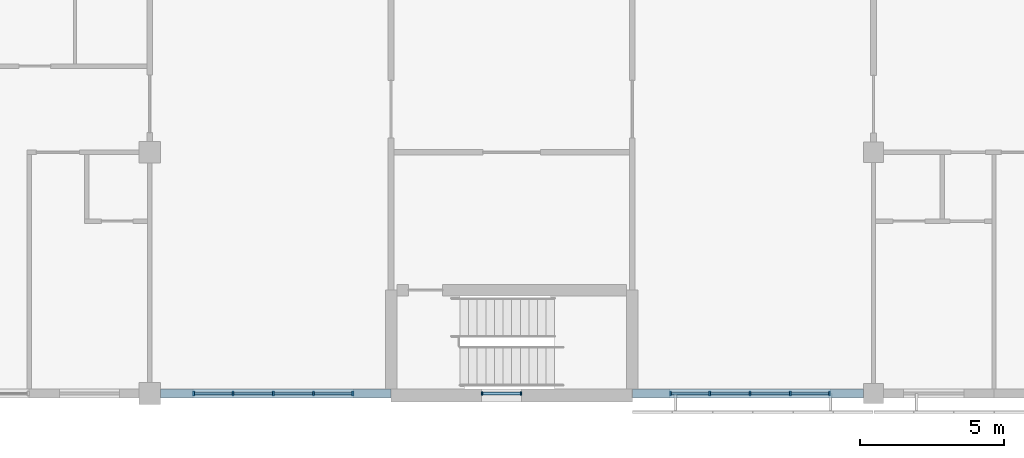
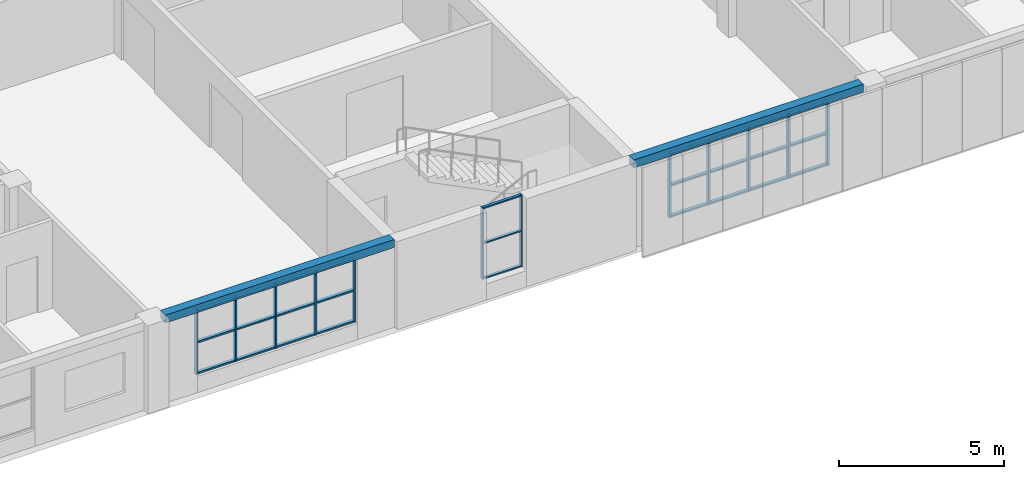
# One storey, part 16 of 46: 39 members, 2 beams, 3 elements without a shape of their own.
"""IFC4 building model written with IfcOpenShell, lengths in metres."""

from ifc_helpers import new_model, si_unit, direction, frame, origin, origin_2d, place, context, subcontext, project, spatial, rectangle, extrude, material, material_profile, profile_set, type_object, element, aggregate, save


model = new_model("IFC4")

# Units and contexts
model_context = context("Model", 3, precision=1e-05, world=origin(), true_north=direction((0.0, 1.0)))
body_context = subcontext(model_context, "Body", "Model", "MODEL_VIEW")
ifc_project = project(units=[si_unit("LENGTHUNIT", "METRE"), si_unit("AREAUNIT", "SQUARE_METRE"), si_unit("VOLUMEUNIT", "CUBIC_METRE"), si_unit("PLANEANGLEUNIT", "RADIAN"), si_unit("MASSUNIT", "GRAM", prefix="KILO")], contexts=[model_context])

# Site, building, storey
site_placement = place(None, origin())
site = spatial("IfcSite", under=ifc_project, at=site_placement, CompositionType="ELEMENT")
building_placement = place(site_placement, origin())
building = spatial("IfcBuilding", under=site, at=building_placement, Name="Yavir Park General Hospital", CompositionType="ELEMENT")
storey_placement = place(building_placement, frame((0.0, 0.0, 18.89990234375)))
storey = spatial("IfcBuildingStorey", under=building, at=storey_placement, Name="L04", CompositionType="ELEMENT", Elevation=18.89990234375)

# Curtain wall, members
ifc_material_1 = material(Name="Aluminium curtain wall frame with insulated glazing", Category="aluminium")
curtain_wall_type_1 = type_object("IfcCurtainWallType", Name="Day room pocket glazing, ward floors, 2360 high, 1400 module", PredefinedType="NOTDEFINED", material=ifc_material_1)
curtain_wall_1_placement = place(storey_placement, origin())
curtain_wall_1 = element("IfcCurtainWall", 1, at=curtain_wall_1_placement, inside=storey, type_object=curtain_wall_type_1, Name="CW6 L04-006", PredefinedType="NOTDEFINED")
ifc_material_2 = material(Name="Aluminium", Category="aluminium")
ifc_material_profile_1 = material_profile(ifc_material_2, rectangle(XDim=0.139892578125, YDim=0.06005859375, at=origin_2d()), Name="AL 60x140")
ifc_profile_set_1 = profile_set([ifc_material_profile_1], Name="Aluminium")
member_type_1 = type_object("IfcMemberType", Name="Day room pocket glazing, ward floors, 2360 high mullion 60 x 140", PredefinedType="MULLION", material=ifc_profile_set_1)
member_1_placement = place(storey_placement, frame((127.530029296875, 0.0, 0.60009765625), z_axis=(0.0, 0.0, 1.0), x_axis=(0.0, 1.0, 0.0)))
member_1 = element("IfcMember", 2, at=member_1_placement, type_object=member_type_1, Name="CW6 mullion 1", PredefinedType="MULLION", context=body_context, shape_type="SweptSolid", body=[
    extrude(rectangle(XDim=0.139892578125, YDim=0.06005859375, at=origin_2d()), origin(), (0.0, 0.0, 1.0), 2.360107421875),
])
member_2_placement = place(storey_placement, frame((128.89990234375, 0.0, 0.60009765625), z_axis=(0.0, 0.0, 1.0), x_axis=(0.0, 1.0, 0.0)))
member_2 = element("IfcMember", 3, at=member_2_placement, type_object=member_type_1, Name="CW6 mullion 2", PredefinedType="MULLION", context=body_context, shape_type="SweptSolid", body=[
    extrude(rectangle(XDim=0.139892578125, YDim=0.06005859375, at=origin_2d()), origin(), (0.0, 0.0, 1.0), 2.360107421875),
])
member_3_placement = place(storey_placement, frame((130.300048828125, 0.0, 0.60009765625), z_axis=(0.0, 0.0, 1.0), x_axis=(0.0, 1.0, 0.0)))
member_3 = element("IfcMember", 4, at=member_3_placement, type_object=member_type_1, Name="CW6 mullion 3", PredefinedType="MULLION", context=body_context, shape_type="SweptSolid", body=[
    extrude(rectangle(XDim=0.139892578125, YDim=0.06005859375, at=origin_2d()), origin(), (0.0, 0.0, 1.0), 2.360107421875),
])
member_4_placement = place(storey_placement, frame((131.699951171875, 0.0, 0.60009765625), z_axis=(0.0, 0.0, 1.0), x_axis=(0.0, 1.0, 0.0)))
member_4 = element("IfcMember", 5, at=member_4_placement, type_object=member_type_1, Name="CW6 mullion 4", PredefinedType="MULLION", context=body_context, shape_type="SweptSolid", body=[
    extrude(rectangle(XDim=0.139892578125, YDim=0.06005859375, at=origin_2d()), origin(), (0.0, 0.0, 1.0), 2.360107421875),
])
member_5_placement = place(storey_placement, frame((133.070068359375, 0.0, 0.60009765625), z_axis=(0.0, 0.0, 1.0), x_axis=(0.0, 1.0, 0.0)))
member_5 = element("IfcMember", 6, at=member_5_placement, type_object=member_type_1, Name="CW6 mullion 5", PredefinedType="MULLION", context=body_context, shape_type="SweptSolid", body=[
    extrude(rectangle(XDim=0.139892578125, YDim=0.06005859375, at=origin_2d()), origin(), (0.0, 0.0, 1.0), 2.360107421875),
])

curtain_wall_2_placement = place(storey_placement, origin())
curtain_wall_2 = element("IfcCurtainWall", 7, at=curtain_wall_2_placement, inside=storey, type_object=curtain_wall_type_1, Name="CW6 L04-008", PredefinedType="NOTDEFINED")
member_6_placement = place(storey_placement, frame((144.1298828125, 0.0, 0.60009765625), z_axis=(0.0, 0.0, 1.0), x_axis=(0.0, 1.0, 0.0)))
member_6 = element("IfcMember", 8, at=member_6_placement, type_object=member_type_1, Name="CW6 mullion 1", PredefinedType="MULLION", context=body_context, shape_type="SweptSolid", body=[
    extrude(rectangle(XDim=0.139892578125, YDim=0.06005859375, at=origin_2d()), origin(), (0.0, 0.0, 1.0), 2.360107421875),
])
member_7_placement = place(storey_placement, frame((145.5, 0.0, 0.60009765625), z_axis=(0.0, 0.0, 1.0), x_axis=(0.0, 1.0, 0.0)))
member_7 = element("IfcMember", 9, at=member_7_placement, type_object=member_type_1, Name="CW6 mullion 2", PredefinedType="MULLION", context=body_context, shape_type="SweptSolid", body=[
    extrude(rectangle(XDim=0.139892578125, YDim=0.06005859375, at=origin_2d()), origin(), (0.0, 0.0, 1.0), 2.360107421875),
])
member_8_placement = place(storey_placement, frame((146.89990234375, 0.0, 0.60009765625), z_axis=(0.0, 0.0, 1.0), x_axis=(0.0, 1.0, 0.0)))
member_8 = element("IfcMember", 10, at=member_8_placement, type_object=member_type_1, Name="CW6 mullion 3", PredefinedType="MULLION", context=body_context, shape_type="SweptSolid", body=[
    extrude(rectangle(XDim=0.139892578125, YDim=0.06005859375, at=origin_2d()), origin(), (0.0, 0.0, 1.0), 2.360107421875),
])
member_9_placement = place(storey_placement, frame((148.300048828125, 0.0, 0.60009765625), z_axis=(0.0, 0.0, 1.0), x_axis=(0.0, 1.0, 0.0)))
member_9 = element("IfcMember", 11, at=member_9_placement, type_object=member_type_1, Name="CW6 mullion 4", PredefinedType="MULLION", context=body_context, shape_type="SweptSolid", body=[
    extrude(rectangle(XDim=0.139892578125, YDim=0.06005859375, at=origin_2d()), origin(), (0.0, 0.0, 1.0), 2.360107421875),
])
member_10_placement = place(storey_placement, frame((149.669921875, 0.0, 0.60009765625), z_axis=(0.0, 0.0, 1.0), x_axis=(0.0, 1.0, 0.0)))
member_10 = element("IfcMember", 12, at=member_10_placement, type_object=member_type_1, Name="CW6 mullion 5", PredefinedType="MULLION", context=body_context, shape_type="SweptSolid", body=[
    extrude(rectangle(XDim=0.139892578125, YDim=0.06005859375, at=origin_2d()), origin(), (0.0, 0.0, 1.0), 2.360107421875),
])

# Member
ifc_material_3 = material(Name="Aluminium", Category="aluminium")
ifc_material_profile_2 = material_profile(ifc_material_3, rectangle(XDim=0.1201171875, YDim=0.06005859375, at=origin_2d()), Name="AL 120x60")
ifc_profile_set_2 = profile_set([ifc_material_profile_2], Name="Aluminium")
member_type_2 = type_object("IfcMemberType", Name="Day room pocket glazing, ward floors, 2360 high transom 60 x 120", PredefinedType="MULLION", material=ifc_profile_set_2)
member_11_placement = place(storey_placement, frame((127.56005859375, 0.0, 0.630126953125), z_axis=(1.0, 0.0, 0.0), x_axis=(0.0, 1.0, 0.0)))
member_11 = element("IfcMember", 13, at=member_11_placement, type_object=member_type_2, Name="CW6 transom 1.1", PredefinedType="MULLION", context=body_context, shape_type="SweptSolid", body=[
    extrude(rectangle(XDim=0.1201171875, YDim=0.06005859375, at=origin_2d()), origin(), (0.0, 0.0, 1.0), 1.31005859375),
])

member_12_placement = place(storey_placement, frame((127.56005859375, 0.0, 1.780029296875), z_axis=(1.0, 0.0, 0.0), x_axis=(0.0, 1.0, 0.0)))
member_12 = element("IfcMember", 14, at=member_12_placement, type_object=member_type_2, Name="CW6 transom 1.2", PredefinedType="MULLION", context=body_context, shape_type="SweptSolid", body=[
    extrude(rectangle(XDim=0.1201171875, YDim=0.06005859375, at=origin_2d()), origin(), (0.0, 0.0, 1.0), 1.31005859375),
])

member_13_placement = place(storey_placement, frame((127.56005859375, 0.0, 2.93017578125), z_axis=(1.0, 0.0, 0.0), x_axis=(0.0, 1.0, 0.0)))
member_13 = element("IfcMember", 15, at=member_13_placement, type_object=member_type_2, Name="CW6 transom 1.3", PredefinedType="MULLION", context=body_context, shape_type="SweptSolid", body=[
    extrude(rectangle(XDim=0.1201171875, YDim=0.06005859375, at=origin_2d()), origin(), (0.0, 0.0, 1.0), 1.31005859375),
])

member_14_placement = place(storey_placement, frame((128.929931640625, 0.0, 0.630126953125), z_axis=(1.0, 0.0, 0.0), x_axis=(0.0, 1.0, 0.0)))
member_14 = element("IfcMember", 16, at=member_14_placement, type_object=member_type_2, Name="CW6 transom 2.1", PredefinedType="MULLION", context=body_context, shape_type="SweptSolid", body=[
    extrude(rectangle(XDim=0.1201171875, YDim=0.06005859375, at=origin_2d()), origin(), (0.0, 0.0, 1.0), 1.340087890625),
])

member_15_placement = place(storey_placement, frame((128.929931640625, 0.0, 1.780029296875), z_axis=(1.0, 0.0, 0.0), x_axis=(0.0, 1.0, 0.0)))
member_15 = element("IfcMember", 17, at=member_15_placement, type_object=member_type_2, Name="CW6 transom 2.2", PredefinedType="MULLION", context=body_context, shape_type="SweptSolid", body=[
    extrude(rectangle(XDim=0.1201171875, YDim=0.06005859375, at=origin_2d()), origin(), (0.0, 0.0, 1.0), 1.340087890625),
])

member_16_placement = place(storey_placement, frame((128.929931640625, 0.0, 2.93017578125), z_axis=(1.0, 0.0, 0.0), x_axis=(0.0, 1.0, 0.0)))
member_16 = element("IfcMember", 18, at=member_16_placement, type_object=member_type_2, Name="CW6 transom 2.3", PredefinedType="MULLION", context=body_context, shape_type="SweptSolid", body=[
    extrude(rectangle(XDim=0.1201171875, YDim=0.06005859375, at=origin_2d()), origin(), (0.0, 0.0, 1.0), 1.340087890625),
])

member_17_placement = place(storey_placement, frame((130.330078125, 0.0, 0.630126953125), z_axis=(1.0, 0.0, 0.0), x_axis=(0.0, 1.0, 0.0)))
member_17 = element("IfcMember", 19, at=member_17_placement, type_object=member_type_2, Name="CW6 transom 3.1", PredefinedType="MULLION", context=body_context, shape_type="SweptSolid", body=[
    extrude(rectangle(XDim=0.1201171875, YDim=0.06005859375, at=origin_2d()), origin(), (0.0, 0.0, 1.0), 1.33984375),
])

member_18_placement = place(storey_placement, frame((130.330078125, 0.0, 1.780029296875), z_axis=(1.0, 0.0, 0.0), x_axis=(0.0, 1.0, 0.0)))
member_18 = element("IfcMember", 20, at=member_18_placement, type_object=member_type_2, Name="CW6 transom 3.2", PredefinedType="MULLION", context=body_context, shape_type="SweptSolid", body=[
    extrude(rectangle(XDim=0.1201171875, YDim=0.06005859375, at=origin_2d()), origin(), (0.0, 0.0, 1.0), 1.33984375),
])

member_19_placement = place(storey_placement, frame((130.330078125, 0.0, 2.93017578125), z_axis=(1.0, 0.0, 0.0), x_axis=(0.0, 1.0, 0.0)))
member_19 = element("IfcMember", 21, at=member_19_placement, type_object=member_type_2, Name="CW6 transom 3.3", PredefinedType="MULLION", context=body_context, shape_type="SweptSolid", body=[
    extrude(rectangle(XDim=0.1201171875, YDim=0.06005859375, at=origin_2d()), origin(), (0.0, 0.0, 1.0), 1.33984375),
])

member_20_placement = place(storey_placement, frame((131.72998046875, 0.0, 0.630126953125), z_axis=(1.0, 0.0, 0.0), x_axis=(0.0, 1.0, 0.0)))
member_20 = element("IfcMember", 22, at=member_20_placement, type_object=member_type_2, Name="CW6 transom 4.1", PredefinedType="MULLION", context=body_context, shape_type="SweptSolid", body=[
    extrude(rectangle(XDim=0.1201171875, YDim=0.06005859375, at=origin_2d()), origin(), (0.0, 0.0, 1.0), 1.31005859375),
])

member_21_placement = place(storey_placement, frame((131.72998046875, 0.0, 1.780029296875), z_axis=(1.0, 0.0, 0.0), x_axis=(0.0, 1.0, 0.0)))
member_21 = element("IfcMember", 23, at=member_21_placement, type_object=member_type_2, Name="CW6 transom 4.2", PredefinedType="MULLION", context=body_context, shape_type="SweptSolid", body=[
    extrude(rectangle(XDim=0.1201171875, YDim=0.06005859375, at=origin_2d()), origin(), (0.0, 0.0, 1.0), 1.31005859375),
])

member_22_placement = place(storey_placement, frame((131.72998046875, 0.0, 2.93017578125), z_axis=(1.0, 0.0, 0.0), x_axis=(0.0, 1.0, 0.0)))
member_22 = element("IfcMember", 24, at=member_22_placement, type_object=member_type_2, Name="CW6 transom 4.3", PredefinedType="MULLION", context=body_context, shape_type="SweptSolid", body=[
    extrude(rectangle(XDim=0.1201171875, YDim=0.06005859375, at=origin_2d()), origin(), (0.0, 0.0, 1.0), 1.31005859375),
])

aggregate(curtain_wall_1, [member_1, member_2, member_3, member_4, member_5, member_11, member_12, member_13, member_14, member_15, member_16, member_17, member_18, member_19, member_20, member_21, member_22])

member_23_placement = place(storey_placement, frame((144.159912109375, 0.0, 0.630126953125), z_axis=(1.0, 0.0, 0.0), x_axis=(0.0, 1.0, 0.0)))
member_23 = element("IfcMember", 25, at=member_23_placement, type_object=member_type_2, Name="CW6 transom 1.1", PredefinedType="MULLION", context=body_context, shape_type="SweptSolid", body=[
    extrude(rectangle(XDim=0.1201171875, YDim=0.06005859375, at=origin_2d()), origin(), (0.0, 0.0, 1.0), 1.31005859375),
])

member_24_placement = place(storey_placement, frame((144.159912109375, 0.0, 1.780029296875), z_axis=(1.0, 0.0, 0.0), x_axis=(0.0, 1.0, 0.0)))
member_24 = element("IfcMember", 26, at=member_24_placement, type_object=member_type_2, Name="CW6 transom 1.2", PredefinedType="MULLION", context=body_context, shape_type="SweptSolid", body=[
    extrude(rectangle(XDim=0.1201171875, YDim=0.06005859375, at=origin_2d()), origin(), (0.0, 0.0, 1.0), 1.31005859375),
])

member_25_placement = place(storey_placement, frame((144.159912109375, 0.0, 2.93017578125), z_axis=(1.0, 0.0, 0.0), x_axis=(0.0, 1.0, 0.0)))
member_25 = element("IfcMember", 27, at=member_25_placement, type_object=member_type_2, Name="CW6 transom 1.3", PredefinedType="MULLION", context=body_context, shape_type="SweptSolid", body=[
    extrude(rectangle(XDim=0.1201171875, YDim=0.06005859375, at=origin_2d()), origin(), (0.0, 0.0, 1.0), 1.31005859375),
])

member_26_placement = place(storey_placement, frame((145.530029296875, 0.0, 0.630126953125), z_axis=(1.0, 0.0, 0.0), x_axis=(0.0, 1.0, 0.0)))
member_26 = element("IfcMember", 28, at=member_26_placement, type_object=member_type_2, Name="CW6 transom 2.1", PredefinedType="MULLION", context=body_context, shape_type="SweptSolid", body=[
    extrude(rectangle(XDim=0.1201171875, YDim=0.06005859375, at=origin_2d()), origin(), (0.0, 0.0, 1.0), 1.340087890625),
])

member_27_placement = place(storey_placement, frame((145.530029296875, 0.0, 1.780029296875), z_axis=(1.0, 0.0, 0.0), x_axis=(0.0, 1.0, 0.0)))
member_27 = element("IfcMember", 29, at=member_27_placement, type_object=member_type_2, Name="CW6 transom 2.2", PredefinedType="MULLION", context=body_context, shape_type="SweptSolid", body=[
    extrude(rectangle(XDim=0.1201171875, YDim=0.06005859375, at=origin_2d()), origin(), (0.0, 0.0, 1.0), 1.340087890625),
])

member_28_placement = place(storey_placement, frame((145.530029296875, 0.0, 2.93017578125), z_axis=(1.0, 0.0, 0.0), x_axis=(0.0, 1.0, 0.0)))
member_28 = element("IfcMember", 30, at=member_28_placement, type_object=member_type_2, Name="CW6 transom 2.3", PredefinedType="MULLION", context=body_context, shape_type="SweptSolid", body=[
    extrude(rectangle(XDim=0.1201171875, YDim=0.06005859375, at=origin_2d()), origin(), (0.0, 0.0, 1.0), 1.340087890625),
])

member_29_placement = place(storey_placement, frame((146.929931640625, 0.0, 0.630126953125), z_axis=(1.0, 0.0, 0.0), x_axis=(0.0, 1.0, 0.0)))
member_29 = element("IfcMember", 31, at=member_29_placement, type_object=member_type_2, Name="CW6 transom 3.1", PredefinedType="MULLION", context=body_context, shape_type="SweptSolid", body=[
    extrude(rectangle(XDim=0.1201171875, YDim=0.06005859375, at=origin_2d()), origin(), (0.0, 0.0, 1.0), 1.340087890625),
])

member_30_placement = place(storey_placement, frame((146.929931640625, 0.0, 1.780029296875), z_axis=(1.0, 0.0, 0.0), x_axis=(0.0, 1.0, 0.0)))
member_30 = element("IfcMember", 32, at=member_30_placement, type_object=member_type_2, Name="CW6 transom 3.2", PredefinedType="MULLION", context=body_context, shape_type="SweptSolid", body=[
    extrude(rectangle(XDim=0.1201171875, YDim=0.06005859375, at=origin_2d()), origin(), (0.0, 0.0, 1.0), 1.340087890625),
])

member_31_placement = place(storey_placement, frame((146.929931640625, 0.0, 2.93017578125), z_axis=(1.0, 0.0, 0.0), x_axis=(0.0, 1.0, 0.0)))
member_31 = element("IfcMember", 33, at=member_31_placement, type_object=member_type_2, Name="CW6 transom 3.3", PredefinedType="MULLION", context=body_context, shape_type="SweptSolid", body=[
    extrude(rectangle(XDim=0.1201171875, YDim=0.06005859375, at=origin_2d()), origin(), (0.0, 0.0, 1.0), 1.340087890625),
])

member_32_placement = place(storey_placement, frame((148.330078125, 0.0, 0.630126953125), z_axis=(1.0, 0.0, 0.0), x_axis=(0.0, 1.0, 0.0)))
member_32 = element("IfcMember", 34, at=member_32_placement, type_object=member_type_2, Name="CW6 transom 4.1", PredefinedType="MULLION", context=body_context, shape_type="SweptSolid", body=[
    extrude(rectangle(XDim=0.1201171875, YDim=0.06005859375, at=origin_2d()), origin(), (0.0, 0.0, 1.0), 1.309814453125),
])

member_33_placement = place(storey_placement, frame((148.330078125, 0.0, 1.780029296875), z_axis=(1.0, 0.0, 0.0), x_axis=(0.0, 1.0, 0.0)))
member_33 = element("IfcMember", 35, at=member_33_placement, type_object=member_type_2, Name="CW6 transom 4.2", PredefinedType="MULLION", context=body_context, shape_type="SweptSolid", body=[
    extrude(rectangle(XDim=0.1201171875, YDim=0.06005859375, at=origin_2d()), origin(), (0.0, 0.0, 1.0), 1.309814453125),
])

member_34_placement = place(storey_placement, frame((148.330078125, 0.0, 2.93017578125), z_axis=(1.0, 0.0, 0.0), x_axis=(0.0, 1.0, 0.0)))
member_34 = element("IfcMember", 36, at=member_34_placement, type_object=member_type_2, Name="CW6 transom 4.3", PredefinedType="MULLION", context=body_context, shape_type="SweptSolid", body=[
    extrude(rectangle(XDim=0.1201171875, YDim=0.06005859375, at=origin_2d()), origin(), (0.0, 0.0, 1.0), 1.309814453125),
])

aggregate(curtain_wall_2, [member_6, member_7, member_8, member_9, member_10, member_23, member_24, member_25, member_26, member_27, member_28, member_29, member_30, member_31, member_32, member_33, member_34])

# Beams
ifc_material_4 = material(Name="Concrete C35/45", Category="concrete")
ifc_material_profile_3 = material_profile(ifc_material_4, rectangle(XDim=0.300048828125, YDim=0.300048828125, at=origin_2d()), Name="RC300x300")
ifc_profile_set_3 = profile_set([ifc_material_profile_3], Name="Concrete C35/45")
beam_type = type_object("IfcBeamType", Name="RC BEAM 300x300 edge beam", PredefinedType="BEAM", material=ifc_profile_set_3)
beam_1_placement = place(storey_placement, frame((126.375, 0.0, 3.110107421875), z_axis=(1.0, 0.0, 0.0), x_axis=(0.0, 1.0, 0.0)))
element("IfcBeam", 37, at=beam_1_placement, inside=storey, type_object=beam_type, Name="B:EDGE:L04:007", PredefinedType="BEAM", context=body_context, shape_type="SweptSolid", body=[
    extrude(rectangle(XDim=0.300048828125, YDim=0.300048828125, at=origin_2d()), origin(), (0.0, 0.0, 1.0), 8.02490234375),
])
beam_2_placement = place(storey_placement, frame((142.800048828125, 0.0, 3.110107421875), z_axis=(1.0, 0.0, 0.0), x_axis=(0.0, 1.0, 0.0)))
element("IfcBeam", 38, at=beam_2_placement, inside=storey, type_object=beam_type, Name="B:EDGE:L04:008", PredefinedType="BEAM", context=body_context, shape_type="SweptSolid", body=[
    extrude(rectangle(XDim=0.300048828125, YDim=0.300048828125, at=origin_2d()), origin(), (0.0, 0.0, 1.0), 8.050048828125),
])

# Curtain wall, members
ifc_material_5 = material(Name="Aluminium curtain wall frame with insulated glazing", Category="aluminium")
curtain_wall_type_2 = type_object("IfcCurtainWallType", Name="Stair light slot, ward floors, 2660 high, 1400 module", PredefinedType="NOTDEFINED", material=ifc_material_5)
curtain_wall_3_placement = place(storey_placement, origin())
curtain_wall_3 = element("IfcCurtainWall", 39, at=curtain_wall_3_placement, inside=storey, type_object=curtain_wall_type_2, Name="CW10 L04-007", PredefinedType="NOTDEFINED")
ifc_material_6 = material(Name="Aluminium", Category="aluminium")
ifc_material_profile_4 = material_profile(ifc_material_6, rectangle(XDim=0.1201171875, YDim=0.050048828125, at=origin_2d()), Name="AL 50x120")
ifc_profile_set_4 = profile_set([ifc_material_profile_4], Name="Aluminium")
member_type_3 = type_object("IfcMemberType", Name="Stair light slot, ward floors, 2660 high mullion 50 x 120", PredefinedType="MULLION", material=ifc_profile_set_4)
member_35_placement = place(storey_placement, frame((137.574951171875, 0.0, 0.60009765625), z_axis=(0.0, 0.0, 1.0), x_axis=(0.0, 1.0, 0.0)))
member_35 = element("IfcMember", 40, at=member_35_placement, type_object=member_type_3, Name="CW10 mullion 1", PredefinedType="MULLION", context=body_context, shape_type="SweptSolid", body=[
    extrude(rectangle(XDim=0.1201171875, YDim=0.050048828125, at=origin_2d()), origin(), (0.0, 0.0, 1.0), 2.659912109375),
])
member_36_placement = place(storey_placement, frame((138.925048828125, 0.0, 0.60009765625), z_axis=(0.0, 0.0, 1.0), x_axis=(0.0, 1.0, 0.0)))
member_36 = element("IfcMember", 41, at=member_36_placement, type_object=member_type_3, Name="CW10 mullion 2", PredefinedType="MULLION", context=body_context, shape_type="SweptSolid", body=[
    extrude(rectangle(XDim=0.1201171875, YDim=0.050048828125, at=origin_2d()), origin(), (0.0, 0.0, 1.0), 2.659912109375),
])
ifc_material_7 = material(Name="Aluminium", Category="aluminium")
ifc_material_profile_5 = material_profile(ifc_material_7, rectangle(XDim=0.10009765625, YDim=0.050048828125, at=origin_2d()), Name="AL 100x50")
ifc_profile_set_5 = profile_set([ifc_material_profile_5], Name="Aluminium")
member_type_4 = type_object("IfcMemberType", Name="Stair light slot, ward floors, 2660 high transom 50 x 100", PredefinedType="MULLION", material=ifc_profile_set_5)
member_37_placement = place(storey_placement, frame((137.60009765625, 0.0, 0.625), z_axis=(1.0, 0.0, 0.0), x_axis=(0.0, 1.0, 0.0)))
member_37 = element("IfcMember", 42, at=member_37_placement, type_object=member_type_4, Name="CW10 transom 1.1", PredefinedType="MULLION", context=body_context, shape_type="SweptSolid", body=[
    extrude(rectangle(XDim=0.10009765625, YDim=0.050048828125, at=origin_2d()), origin(), (0.0, 0.0, 1.0), 1.2998046875),
])
member_38_placement = place(storey_placement, frame((137.60009765625, 0.0, 1.93017578125), z_axis=(1.0, 0.0, 0.0), x_axis=(0.0, 1.0, 0.0)))
member_38 = element("IfcMember", 43, at=member_38_placement, type_object=member_type_4, Name="CW10 transom 1.2", PredefinedType="MULLION", context=body_context, shape_type="SweptSolid", body=[
    extrude(rectangle(XDim=0.10009765625, YDim=0.050048828125, at=origin_2d()), origin(), (0.0, 0.0, 1.0), 1.2998046875),
])
member_39_placement = place(storey_placement, frame((137.60009765625, 0.0, 3.235107421875), z_axis=(1.0, 0.0, 0.0), x_axis=(0.0, 1.0, 0.0)))
member_39 = element("IfcMember", 44, at=member_39_placement, type_object=member_type_4, Name="CW10 transom 1.3", PredefinedType="MULLION", context=body_context, shape_type="SweptSolid", body=[
    extrude(rectangle(XDim=0.10009765625, YDim=0.050048828125, at=origin_2d()), origin(), (0.0, 0.0, 1.0), 1.2998046875),
])
aggregate(curtain_wall_3, [member_35, member_36, member_37, member_38, member_39])

save(model, "model.ifc")
